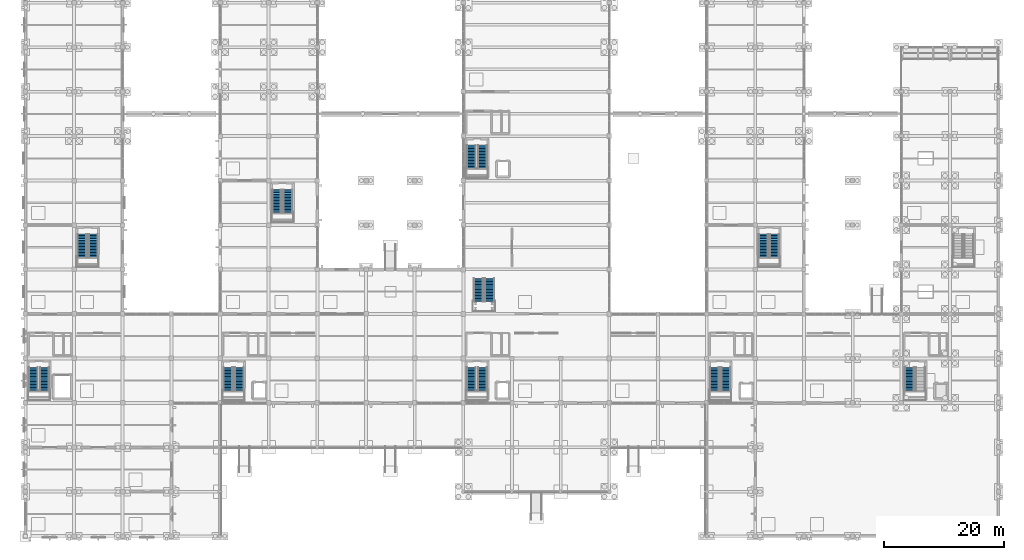
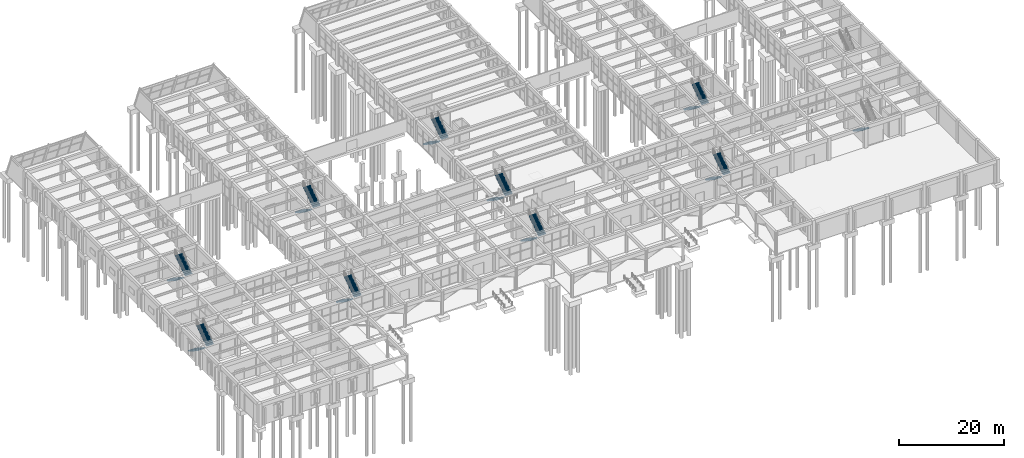
# One storey, part 131 of 140: 19 stair flights, 10 elements without a shape of their own.
"""IFC4 building model written with IfcOpenShell, lengths in metres."""

from ifc_helpers import new_model, si_unit, direction, frame, origin, place, context, subcontext, project, spatial, polyline, outline, extrude, material, type_object, element, aggregate, save


model = new_model("IFC4")

# Units and contexts
model_context = context("Model", 3, precision=1e-05, world=origin(), true_north=direction((0.0, 1.0)))
body_context = subcontext(model_context, "Body", "Model", "MODEL_VIEW")
ifc_project = project(units=[si_unit("LENGTHUNIT", "METRE"), si_unit("AREAUNIT", "SQUARE_METRE"), si_unit("VOLUMEUNIT", "CUBIC_METRE"), si_unit("PLANEANGLEUNIT", "RADIAN"), si_unit("MASSUNIT", "GRAM", prefix="KILO")], contexts=[model_context])

# Site, building, storey
site_placement = place(None, origin())
site = spatial("IfcSite", under=ifc_project, at=site_placement, CompositionType="ELEMENT")
building_placement = place(site_placement, origin())
building = spatial("IfcBuilding", under=site, at=building_placement, Name="Cimatlan Art Gallery", CompositionType="ELEMENT")
storey_placement = place(building_placement, origin())
storey = spatial("IfcBuildingStorey", under=building, at=storey_placement, Name="L00", CompositionType="ELEMENT", Elevation=0.0)

# Stair, stair flights
ifc_material = material(Name="Concrete C35/45", Category="concrete")
stair_type_1 = type_object("IfcStairType", Name="STR-HALF-155-540", PredefinedType="HALF_TURN_STAIR", material=ifc_material)
stair_1_placement = place(storey_placement, origin())
stair_1 = element("IfcStair", 1, at=stair_1_placement, inside=storey, type_object=stair_type_1, Name="STR-C1-L00", PredefinedType="HALF_TURN_STAIR")
stair_flight_type_1 = type_object("IfcStairFlightType", Name="STF-155-16R-255", PredefinedType="STRAIGHT", material=ifc_material)
stair_flight_1_placement = place(storey_placement, frame((3.3349609375, 29.780029296875, 0.0), z_axis=(0.0, 0.0, 1.0), x_axis=(0.0, -1.0, 0.0)))
stair_flight_1 = element("IfcStairFlight", 2, at=stair_flight_1_placement, type_object=stair_flight_type_1, Name="STR-C1-L00-F1", NumberOfRisers=16, NumberOfTreads=15, PredefinedType="STRAIGHT", RiserHeight=0.16875, TreadLength=0.255, context=body_context, shape_type="SweptSolid", body=[
    extrude(outline(polyline([(0.0, 0.0), (0.0, 0.168701171875), (0.2548828125, 0.168701171875), (0.2548828125, 0.33740234375), (0.510009765625, 0.33740234375), (0.510009765625, 0.50634765625), (0.764892578125, 0.50634765625), (0.764892578125, 0.675048828125), (1.02001953125, 0.675048828125), (1.02001953125, 0.84375), (1.27490234375, 0.84375), (1.27490234375, 1.012451171875), (1.530029296875, 1.012451171875), (1.530029296875, 1.18115234375), (1.784912109375, 1.18115234375), (1.784912109375, 1.35009765625), (2.0400390625, 1.35009765625), (2.0400390625, 1.518798828125), (2.294921875, 1.518798828125), (2.294921875, 1.6875), (2.550048828125, 1.6875), (2.550048828125, 1.856201171875), (2.804931640625, 1.856201171875), (2.804931640625, 2.02490234375), (3.06005859375, 2.02490234375), (3.06005859375, 2.19384765625), (3.31494140625, 2.19384765625), (3.31494140625, 2.362548828125), (3.570068359375, 2.362548828125), (3.570068359375, 2.53125), (3.824951171875, 2.53125), (3.824951171875, 2.699951171875), (3.824951171875, 2.3154296875), (0.325927734375, 0.0), (0.0, 0.0)])), frame((0.0, 0.77490234375, 0.0), z_axis=(0.0, -1.0, 0.0), x_axis=(1.0, 0.0, 0.0)), (0.0, 0.0, 1.0), 1.550048828125),
])
stair_flight_2_placement = place(storey_placement, frame((5.205078125, 25.955078125, 2.699951171875), z_axis=(0.0, 0.0, 1.0), x_axis=(0.0, 1.0, 0.0)))
stair_flight_2 = element("IfcStairFlight", 3, at=stair_flight_2_placement, type_object=stair_flight_type_1, Name="STR-C1-L00-F2", NumberOfRisers=16, NumberOfTreads=15, PredefinedType="STRAIGHT", RiserHeight=0.16875, TreadLength=0.255, context=body_context, shape_type="SweptSolid", body=[
    extrude(outline(polyline([(0.0, 0.0), (0.0, 0.168701171875), (0.2548828125, 0.168701171875), (0.2548828125, 0.33740234375), (0.510009765625, 0.33740234375), (0.510009765625, 0.50634765625), (0.764892578125, 0.50634765625), (0.764892578125, 0.675048828125), (1.02001953125, 0.675048828125), (1.02001953125, 0.84375), (1.27490234375, 0.84375), (1.27490234375, 1.012451171875), (1.530029296875, 1.012451171875), (1.530029296875, 1.18115234375), (1.784912109375, 1.18115234375), (1.784912109375, 1.35009765625), (2.0400390625, 1.35009765625), (2.0400390625, 1.518798828125), (2.294921875, 1.518798828125), (2.294921875, 1.6875), (2.550048828125, 1.6875), (2.550048828125, 1.856201171875), (2.804931640625, 1.856201171875), (2.804931640625, 2.02490234375), (3.06005859375, 2.02490234375), (3.06005859375, 2.19384765625), (3.31494140625, 2.19384765625), (3.31494140625, 2.362548828125), (3.570068359375, 2.362548828125), (3.570068359375, 2.53125), (3.824951171875, 2.53125), (3.824951171875, 2.699951171875), (3.824951171875, 2.3154296875), (0.325927734375, 0.0), (0.0, 0.0)])), frame((0.0, 0.77490234375, 0.0), z_axis=(0.0, -1.0, 0.0), x_axis=(1.0, 0.0, 0.0)), (0.0, 0.0, 1.0), 1.550048828125),
])
aggregate(stair_1, [stair_flight_1, stair_flight_2])

stair_2_placement = place(storey_placement, origin())
stair_2 = element("IfcStair", 4, at=stair_2_placement, inside=storey, type_object=stair_type_1, Name="STR-C2-L00", PredefinedType="HALF_TURN_STAIR")
stair_flight_3_placement = place(storey_placement, frame((35.735107421875, 29.780029296875, 0.0), z_axis=(0.0, 0.0, 1.0), x_axis=(0.0, -1.0, 0.0)))
stair_flight_3 = element("IfcStairFlight", 5, at=stair_flight_3_placement, type_object=stair_flight_type_1, Name="STR-C2-L00-F1", NumberOfRisers=16, NumberOfTreads=15, PredefinedType="STRAIGHT", RiserHeight=0.16875, TreadLength=0.255, context=body_context, shape_type="SweptSolid", body=[
    extrude(outline(polyline([(0.0, 0.0), (0.0, 0.168701171875), (0.2548828125, 0.168701171875), (0.2548828125, 0.33740234375), (0.510009765625, 0.33740234375), (0.510009765625, 0.50634765625), (0.764892578125, 0.50634765625), (0.764892578125, 0.675048828125), (1.02001953125, 0.675048828125), (1.02001953125, 0.84375), (1.27490234375, 0.84375), (1.27490234375, 1.012451171875), (1.530029296875, 1.012451171875), (1.530029296875, 1.18115234375), (1.784912109375, 1.18115234375), (1.784912109375, 1.35009765625), (2.0400390625, 1.35009765625), (2.0400390625, 1.518798828125), (2.294921875, 1.518798828125), (2.294921875, 1.6875), (2.550048828125, 1.6875), (2.550048828125, 1.856201171875), (2.804931640625, 1.856201171875), (2.804931640625, 2.02490234375), (3.06005859375, 2.02490234375), (3.06005859375, 2.19384765625), (3.31494140625, 2.19384765625), (3.31494140625, 2.362548828125), (3.570068359375, 2.362548828125), (3.570068359375, 2.53125), (3.824951171875, 2.53125), (3.824951171875, 2.699951171875), (3.824951171875, 2.3154296875), (0.325927734375, 0.0), (0.0, 0.0)])), frame((0.0, 0.77490234375, 0.0), z_axis=(0.0, -1.0, 0.0), x_axis=(1.0, 0.0, 0.0)), (0.0, 0.0, 1.0), 1.550048828125),
])
stair_flight_4_placement = place(storey_placement, frame((37.60498046875, 25.955078125, 2.699951171875), z_axis=(0.0, 0.0, 1.0), x_axis=(0.0, 1.0, 0.0)))
stair_flight_4 = element("IfcStairFlight", 6, at=stair_flight_4_placement, type_object=stair_flight_type_1, Name="STR-C2-L00-F2", NumberOfRisers=16, NumberOfTreads=15, PredefinedType="STRAIGHT", RiserHeight=0.16875, TreadLength=0.255, context=body_context, shape_type="SweptSolid", body=[
    extrude(outline(polyline([(0.0, 0.0), (0.0, 0.168701171875), (0.2548828125, 0.168701171875), (0.2548828125, 0.33740234375), (0.510009765625, 0.33740234375), (0.510009765625, 0.50634765625), (0.764892578125, 0.50634765625), (0.764892578125, 0.675048828125), (1.02001953125, 0.675048828125), (1.02001953125, 0.84375), (1.27490234375, 0.84375), (1.27490234375, 1.012451171875), (1.530029296875, 1.012451171875), (1.530029296875, 1.18115234375), (1.784912109375, 1.18115234375), (1.784912109375, 1.35009765625), (2.0400390625, 1.35009765625), (2.0400390625, 1.518798828125), (2.294921875, 1.518798828125), (2.294921875, 1.6875), (2.550048828125, 1.6875), (2.550048828125, 1.856201171875), (2.804931640625, 1.856201171875), (2.804931640625, 2.02490234375), (3.06005859375, 2.02490234375), (3.06005859375, 2.19384765625), (3.31494140625, 2.19384765625), (3.31494140625, 2.362548828125), (3.570068359375, 2.362548828125), (3.570068359375, 2.53125), (3.824951171875, 2.53125), (3.824951171875, 2.699951171875), (3.824951171875, 2.3154296875), (0.325927734375, 0.0), (0.0, 0.0)])), frame((0.0, 0.77490234375, 0.0), z_axis=(0.0, -1.0, 0.0), x_axis=(1.0, 0.0, 0.0)), (0.0, 0.0, 1.0), 1.550048828125),
])
aggregate(stair_2, [stair_flight_3, stair_flight_4])

stair_3_placement = place(storey_placement, origin())
stair_3 = element("IfcStair", 7, at=stair_3_placement, inside=storey, type_object=stair_type_1, Name="STR-C3-L00", PredefinedType="HALF_TURN_STAIR")
stair_flight_5_placement = place(storey_placement, frame((76.235107421875, 29.780029296875, 0.0), z_axis=(0.0, 0.0, 1.0), x_axis=(0.0, -1.0, 0.0)))
stair_flight_5 = element("IfcStairFlight", 8, at=stair_flight_5_placement, type_object=stair_flight_type_1, Name="STR-C3-L00-F1", NumberOfRisers=16, NumberOfTreads=15, PredefinedType="STRAIGHT", RiserHeight=0.16875, TreadLength=0.255, context=body_context, shape_type="SweptSolid", body=[
    extrude(outline(polyline([(0.0, 0.0), (0.0, 0.168701171875), (0.2548828125, 0.168701171875), (0.2548828125, 0.33740234375), (0.510009765625, 0.33740234375), (0.510009765625, 0.50634765625), (0.764892578125, 0.50634765625), (0.764892578125, 0.675048828125), (1.02001953125, 0.675048828125), (1.02001953125, 0.84375), (1.27490234375, 0.84375), (1.27490234375, 1.012451171875), (1.530029296875, 1.012451171875), (1.530029296875, 1.18115234375), (1.784912109375, 1.18115234375), (1.784912109375, 1.35009765625), (2.0400390625, 1.35009765625), (2.0400390625, 1.518798828125), (2.294921875, 1.518798828125), (2.294921875, 1.6875), (2.550048828125, 1.6875), (2.550048828125, 1.856201171875), (2.804931640625, 1.856201171875), (2.804931640625, 2.02490234375), (3.06005859375, 2.02490234375), (3.06005859375, 2.19384765625), (3.31494140625, 2.19384765625), (3.31494140625, 2.362548828125), (3.570068359375, 2.362548828125), (3.570068359375, 2.53125), (3.824951171875, 2.53125), (3.824951171875, 2.699951171875), (3.824951171875, 2.3154296875), (0.325927734375, 0.0), (0.0, 0.0)])), frame((0.0, 0.77490234375, 0.0), z_axis=(0.0, -1.0, 0.0), x_axis=(1.0, 0.0, 0.0)), (0.0, 0.0, 1.0), 1.550048828125),
])
stair_flight_6_placement = place(storey_placement, frame((78.10498046875, 25.955078125, 2.699951171875), z_axis=(0.0, 0.0, 1.0), x_axis=(0.0, 1.0, 0.0)))
stair_flight_6 = element("IfcStairFlight", 9, at=stair_flight_6_placement, type_object=stair_flight_type_1, Name="STR-C3-L00-F2", NumberOfRisers=16, NumberOfTreads=15, PredefinedType="STRAIGHT", RiserHeight=0.16875, TreadLength=0.255, context=body_context, shape_type="SweptSolid", body=[
    extrude(outline(polyline([(0.0, 0.0), (0.0, 0.168701171875), (0.2548828125, 0.168701171875), (0.2548828125, 0.33740234375), (0.510009765625, 0.33740234375), (0.510009765625, 0.50634765625), (0.764892578125, 0.50634765625), (0.764892578125, 0.675048828125), (1.02001953125, 0.675048828125), (1.02001953125, 0.84375), (1.27490234375, 0.84375), (1.27490234375, 1.012451171875), (1.530029296875, 1.012451171875), (1.530029296875, 1.18115234375), (1.784912109375, 1.18115234375), (1.784912109375, 1.35009765625), (2.0400390625, 1.35009765625), (2.0400390625, 1.518798828125), (2.294921875, 1.518798828125), (2.294921875, 1.6875), (2.550048828125, 1.6875), (2.550048828125, 1.856201171875), (2.804931640625, 1.856201171875), (2.804931640625, 2.02490234375), (3.06005859375, 2.02490234375), (3.06005859375, 2.19384765625), (3.31494140625, 2.19384765625), (3.31494140625, 2.362548828125), (3.570068359375, 2.362548828125), (3.570068359375, 2.53125), (3.824951171875, 2.53125), (3.824951171875, 2.699951171875), (3.824951171875, 2.3154296875), (0.325927734375, 0.0), (0.0, 0.0)])), frame((0.0, 0.77490234375, 0.0), z_axis=(0.0, -1.0, 0.0), x_axis=(1.0, 0.0, 0.0)), (0.0, 0.0, 1.0), 1.550048828125),
])
aggregate(stair_3, [stair_flight_5, stair_flight_6])

stair_4_placement = place(storey_placement, origin())
stair_4 = element("IfcStair", 10, at=stair_4_placement, inside=storey, type_object=stair_type_1, Name="STR-C4-L00", PredefinedType="HALF_TURN_STAIR")
stair_flight_7_placement = place(storey_placement, frame((116.735107421875, 29.780029296875, 0.0), z_axis=(0.0, 0.0, 1.0), x_axis=(0.0, -1.0, 0.0)))
stair_flight_7 = element("IfcStairFlight", 11, at=stair_flight_7_placement, type_object=stair_flight_type_1, Name="STR-C4-L00-F1", NumberOfRisers=16, NumberOfTreads=15, PredefinedType="STRAIGHT", RiserHeight=0.16875, TreadLength=0.255, context=body_context, shape_type="SweptSolid", body=[
    extrude(outline(polyline([(0.0, 0.0), (0.0, 0.168701171875), (0.2548828125, 0.168701171875), (0.2548828125, 0.33740234375), (0.510009765625, 0.33740234375), (0.510009765625, 0.50634765625), (0.764892578125, 0.50634765625), (0.764892578125, 0.675048828125), (1.02001953125, 0.675048828125), (1.02001953125, 0.84375), (1.27490234375, 0.84375), (1.27490234375, 1.012451171875), (1.530029296875, 1.012451171875), (1.530029296875, 1.18115234375), (1.784912109375, 1.18115234375), (1.784912109375, 1.35009765625), (2.0400390625, 1.35009765625), (2.0400390625, 1.518798828125), (2.294921875, 1.518798828125), (2.294921875, 1.6875), (2.550048828125, 1.6875), (2.550048828125, 1.856201171875), (2.804931640625, 1.856201171875), (2.804931640625, 2.02490234375), (3.06005859375, 2.02490234375), (3.06005859375, 2.19384765625), (3.31494140625, 2.19384765625), (3.31494140625, 2.362548828125), (3.570068359375, 2.362548828125), (3.570068359375, 2.53125), (3.824951171875, 2.53125), (3.824951171875, 2.699951171875), (3.824951171875, 2.3154296875), (0.325927734375, 0.0), (0.0, 0.0)])), frame((0.0, 0.77490234375, 0.0), z_axis=(0.0, -1.0, 0.0), x_axis=(1.0, 0.0, 0.0)), (0.0, 0.0, 1.0), 1.550048828125),
])
stair_flight_8_placement = place(storey_placement, frame((118.60498046875, 25.955078125, 2.699951171875), z_axis=(0.0, 0.0, 1.0), x_axis=(0.0, 1.0, 0.0)))
stair_flight_8 = element("IfcStairFlight", 12, at=stair_flight_8_placement, type_object=stair_flight_type_1, Name="STR-C4-L00-F2", NumberOfRisers=16, NumberOfTreads=15, PredefinedType="STRAIGHT", RiserHeight=0.16875, TreadLength=0.255, context=body_context, shape_type="SweptSolid", body=[
    extrude(outline(polyline([(0.0, 0.0), (0.0, 0.168701171875), (0.2548828125, 0.168701171875), (0.2548828125, 0.33740234375), (0.510009765625, 0.33740234375), (0.510009765625, 0.50634765625), (0.764892578125, 0.50634765625), (0.764892578125, 0.675048828125), (1.02001953125, 0.675048828125), (1.02001953125, 0.84375), (1.27490234375, 0.84375), (1.27490234375, 1.012451171875), (1.530029296875, 1.012451171875), (1.530029296875, 1.18115234375), (1.784912109375, 1.18115234375), (1.784912109375, 1.35009765625), (2.0400390625, 1.35009765625), (2.0400390625, 1.518798828125), (2.294921875, 1.518798828125), (2.294921875, 1.6875), (2.550048828125, 1.6875), (2.550048828125, 1.856201171875), (2.804931640625, 1.856201171875), (2.804931640625, 2.02490234375), (3.06005859375, 2.02490234375), (3.06005859375, 2.19384765625), (3.31494140625, 2.19384765625), (3.31494140625, 2.362548828125), (3.570068359375, 2.362548828125), (3.570068359375, 2.53125), (3.824951171875, 2.53125), (3.824951171875, 2.699951171875), (3.824951171875, 2.3154296875), (0.325927734375, 0.0), (0.0, 0.0)])), frame((0.0, 0.77490234375, 0.0), z_axis=(0.0, -1.0, 0.0), x_axis=(1.0, 0.0, 0.0)), (0.0, 0.0, 1.0), 1.550048828125),
])
aggregate(stair_4, [stair_flight_7, stair_flight_8])

# Stair, stair flight
stair_5_placement = place(storey_placement, origin())
stair_5 = element("IfcStair", 13, at=stair_5_placement, inside=storey, type_object=stair_type_1, Name="STR-C5-L00", PredefinedType="HALF_TURN_STAIR")
stair_flight_9_placement = place(storey_placement, frame((149.135009765625, 29.780029296875, 0.0), z_axis=(0.0, 0.0, 1.0), x_axis=(0.0, -1.0, 0.0)))
stair_flight_9 = element("IfcStairFlight", 14, at=stair_flight_9_placement, type_object=stair_flight_type_1, Name="STR-C5-L00-F1", NumberOfRisers=16, NumberOfTreads=15, PredefinedType="STRAIGHT", RiserHeight=0.16875, TreadLength=0.255, context=body_context, shape_type="SweptSolid", body=[
    extrude(outline(polyline([(0.0, 0.0), (0.0, 0.168701171875), (0.2548828125, 0.168701171875), (0.2548828125, 0.33740234375), (0.510009765625, 0.33740234375), (0.510009765625, 0.50634765625), (0.764892578125, 0.50634765625), (0.764892578125, 0.675048828125), (1.02001953125, 0.675048828125), (1.02001953125, 0.84375), (1.27490234375, 0.84375), (1.27490234375, 1.012451171875), (1.530029296875, 1.012451171875), (1.530029296875, 1.18115234375), (1.784912109375, 1.18115234375), (1.784912109375, 1.35009765625), (2.0400390625, 1.35009765625), (2.0400390625, 1.518798828125), (2.294921875, 1.518798828125), (2.294921875, 1.6875), (2.550048828125, 1.6875), (2.550048828125, 1.856201171875), (2.804931640625, 1.856201171875), (2.804931640625, 2.02490234375), (3.06005859375, 2.02490234375), (3.06005859375, 2.19384765625), (3.31494140625, 2.19384765625), (3.31494140625, 2.362548828125), (3.570068359375, 2.362548828125), (3.570068359375, 2.53125), (3.824951171875, 2.53125), (3.824951171875, 2.699951171875), (3.824951171875, 2.3154296875), (0.325927734375, 0.0), (0.0, 0.0)])), frame((0.0, 0.77490234375, 0.0), z_axis=(0.0, -1.0, 0.0), x_axis=(1.0, 0.0, 0.0)), (0.0, 0.0, 1.0), 1.550048828125),
])
aggregate(stair_5, [stair_flight_9])

# Stair, stair flights
stair_6_placement = place(storey_placement, origin())
stair_6 = element("IfcStair", 15, at=stair_6_placement, inside=storey, type_object=stair_type_1, Name="STR-C6-L00", PredefinedType="HALF_TURN_STAIR")
stair_flight_10_placement = place(storey_placement, frame((76.235107421875, 66.780029296875, 0.0), z_axis=(0.0, 0.0, 1.0), x_axis=(0.0, -1.0, 0.0)))
stair_flight_10 = element("IfcStairFlight", 16, at=stair_flight_10_placement, type_object=stair_flight_type_1, Name="STR-C6-L00-F1", NumberOfRisers=16, NumberOfTreads=15, PredefinedType="STRAIGHT", RiserHeight=0.16875, TreadLength=0.255, context=body_context, shape_type="SweptSolid", body=[
    extrude(outline(polyline([(0.0, 0.0), (0.0, 0.168701171875), (0.2548828125, 0.168701171875), (0.2548828125, 0.33740234375), (0.510009765625, 0.33740234375), (0.510009765625, 0.50634765625), (0.764892578125, 0.50634765625), (0.764892578125, 0.675048828125), (1.02001953125, 0.675048828125), (1.02001953125, 0.84375), (1.27490234375, 0.84375), (1.27490234375, 1.012451171875), (1.530029296875, 1.012451171875), (1.530029296875, 1.18115234375), (1.784912109375, 1.18115234375), (1.784912109375, 1.35009765625), (2.0400390625, 1.35009765625), (2.0400390625, 1.518798828125), (2.294921875, 1.518798828125), (2.294921875, 1.6875), (2.550048828125, 1.6875), (2.550048828125, 1.856201171875), (2.804931640625, 1.856201171875), (2.804931640625, 2.02490234375), (3.06005859375, 2.02490234375), (3.06005859375, 2.19384765625), (3.31494140625, 2.19384765625), (3.31494140625, 2.362548828125), (3.570068359375, 2.362548828125), (3.570068359375, 2.53125), (3.824951171875, 2.53125), (3.824951171875, 2.699951171875), (3.824951171875, 2.3154296875), (0.325927734375, 0.0), (0.0, 0.0)])), frame((0.0, 0.77490234375, 0.0), z_axis=(0.0, -1.0, 0.0), x_axis=(1.0, 0.0, 0.0)), (0.0, 0.0, 1.0), 1.550048828125),
])
stair_flight_11_placement = place(storey_placement, frame((78.10498046875, 62.955078125, 2.699951171875), z_axis=(0.0, 0.0, 1.0), x_axis=(0.0, 1.0, 0.0)))
stair_flight_11 = element("IfcStairFlight", 17, at=stair_flight_11_placement, type_object=stair_flight_type_1, Name="STR-C6-L00-F2", NumberOfRisers=16, NumberOfTreads=15, PredefinedType="STRAIGHT", RiserHeight=0.16875, TreadLength=0.255, context=body_context, shape_type="SweptSolid", body=[
    extrude(outline(polyline([(0.0, 0.0), (0.0, 0.168701171875), (0.2548828125, 0.168701171875), (0.2548828125, 0.33740234375), (0.510009765625, 0.33740234375), (0.510009765625, 0.50634765625), (0.764892578125, 0.50634765625), (0.764892578125, 0.675048828125), (1.02001953125, 0.675048828125), (1.02001953125, 0.84375), (1.27490234375, 0.84375), (1.27490234375, 1.012451171875), (1.530029296875, 1.012451171875), (1.530029296875, 1.18115234375), (1.784912109375, 1.18115234375), (1.784912109375, 1.35009765625), (2.0400390625, 1.35009765625), (2.0400390625, 1.518798828125), (2.294921875, 1.518798828125), (2.294921875, 1.6875), (2.550048828125, 1.6875), (2.550048828125, 1.856201171875), (2.804931640625, 1.856201171875), (2.804931640625, 2.02490234375), (3.06005859375, 2.02490234375), (3.06005859375, 2.19384765625), (3.31494140625, 2.19384765625), (3.31494140625, 2.362548828125), (3.570068359375, 2.362548828125), (3.570068359375, 2.53125), (3.824951171875, 2.53125), (3.824951171875, 2.699951171875), (3.824951171875, 2.3154296875), (0.325927734375, 0.0), (0.0, 0.0)])), frame((0.0, 0.77490234375, 0.0), z_axis=(0.0, -1.0, 0.0), x_axis=(1.0, 0.0, 0.0)), (0.0, 0.0, 1.0), 1.550048828125),
])
aggregate(stair_6, [stair_flight_10, stair_flight_11])

stair_7_placement = place(storey_placement, origin())
stair_7 = element("IfcStair", 18, at=stair_7_placement, inside=storey, type_object=stair_type_1, Name="STR-C7-L00", PredefinedType="HALF_TURN_STAIR")
stair_flight_12_placement = place(storey_placement, frame((11.43505859375, 51.97998046875, 0.0), z_axis=(0.0, 0.0, 1.0), x_axis=(0.0, -1.0, 0.0)))
stair_flight_12 = element("IfcStairFlight", 19, at=stair_flight_12_placement, type_object=stair_flight_type_1, Name="STR-C7-L00-F1", NumberOfRisers=16, NumberOfTreads=15, PredefinedType="STRAIGHT", RiserHeight=0.16875, TreadLength=0.255, context=body_context, shape_type="SweptSolid", body=[
    extrude(outline(polyline([(0.0, 0.0), (0.0, 0.168701171875), (0.2548828125, 0.168701171875), (0.2548828125, 0.33740234375), (0.510009765625, 0.33740234375), (0.510009765625, 0.50634765625), (0.764892578125, 0.50634765625), (0.764892578125, 0.675048828125), (1.02001953125, 0.675048828125), (1.02001953125, 0.84375), (1.27490234375, 0.84375), (1.27490234375, 1.012451171875), (1.530029296875, 1.012451171875), (1.530029296875, 1.18115234375), (1.784912109375, 1.18115234375), (1.784912109375, 1.35009765625), (2.0400390625, 1.35009765625), (2.0400390625, 1.518798828125), (2.294921875, 1.518798828125), (2.294921875, 1.6875), (2.550048828125, 1.6875), (2.550048828125, 1.856201171875), (2.804931640625, 1.856201171875), (2.804931640625, 2.02490234375), (3.06005859375, 2.02490234375), (3.06005859375, 2.19384765625), (3.31494140625, 2.19384765625), (3.31494140625, 2.362548828125), (3.570068359375, 2.362548828125), (3.570068359375, 2.53125), (3.824951171875, 2.53125), (3.824951171875, 2.699951171875), (3.824951171875, 2.3154296875), (0.325927734375, 0.0), (0.0, 0.0)])), frame((0.0, 0.77490234375, 0.0), z_axis=(0.0, -1.0, 0.0), x_axis=(1.0, 0.0, 0.0)), (0.0, 0.0, 1.0), 1.550048828125),
])
stair_flight_13_placement = place(storey_placement, frame((13.304931640625, 48.155029296875, 2.699951171875), z_axis=(0.0, 0.0, 1.0), x_axis=(0.0, 1.0, 0.0)))
stair_flight_13 = element("IfcStairFlight", 20, at=stair_flight_13_placement, type_object=stair_flight_type_1, Name="STR-C7-L00-F2", NumberOfRisers=16, NumberOfTreads=15, PredefinedType="STRAIGHT", RiserHeight=0.16875, TreadLength=0.255, context=body_context, shape_type="SweptSolid", body=[
    extrude(outline(polyline([(0.0, 0.0), (0.0, 0.168701171875), (0.2548828125, 0.168701171875), (0.2548828125, 0.33740234375), (0.510009765625, 0.33740234375), (0.510009765625, 0.50634765625), (0.764892578125, 0.50634765625), (0.764892578125, 0.675048828125), (1.02001953125, 0.675048828125), (1.02001953125, 0.84375), (1.27490234375, 0.84375), (1.27490234375, 1.012451171875), (1.530029296875, 1.012451171875), (1.530029296875, 1.18115234375), (1.784912109375, 1.18115234375), (1.784912109375, 1.35009765625), (2.0400390625, 1.35009765625), (2.0400390625, 1.518798828125), (2.294921875, 1.518798828125), (2.294921875, 1.6875), (2.550048828125, 1.6875), (2.550048828125, 1.856201171875), (2.804931640625, 1.856201171875), (2.804931640625, 2.02490234375), (3.06005859375, 2.02490234375), (3.06005859375, 2.19384765625), (3.31494140625, 2.19384765625), (3.31494140625, 2.362548828125), (3.570068359375, 2.362548828125), (3.570068359375, 2.53125), (3.824951171875, 2.53125), (3.824951171875, 2.699951171875), (3.824951171875, 2.3154296875), (0.325927734375, 0.0), (0.0, 0.0)])), frame((0.0, 0.77490234375, 0.0), z_axis=(0.0, -1.0, 0.0), x_axis=(1.0, 0.0, 0.0)), (0.0, 0.0, 1.0), 1.550048828125),
])
aggregate(stair_7, [stair_flight_12, stair_flight_13])

stair_8_placement = place(storey_placement, origin())
stair_8 = element("IfcStair", 21, at=stair_8_placement, inside=storey, type_object=stair_type_1, Name="STR-C8-L00", PredefinedType="HALF_TURN_STAIR")
stair_flight_14_placement = place(storey_placement, frame((43.8349609375, 59.3798828125, 0.0), z_axis=(0.0, 0.0, 1.0), x_axis=(0.0, -1.0, 0.0)))
stair_flight_14 = element("IfcStairFlight", 22, at=stair_flight_14_placement, type_object=stair_flight_type_1, Name="STR-C8-L00-F1", NumberOfRisers=16, NumberOfTreads=15, PredefinedType="STRAIGHT", RiserHeight=0.16875, TreadLength=0.255, context=body_context, shape_type="SweptSolid", body=[
    extrude(outline(polyline([(0.0, 0.0), (0.0, 0.168701171875), (0.2548828125, 0.168701171875), (0.2548828125, 0.33740234375), (0.510009765625, 0.33740234375), (0.510009765625, 0.50634765625), (0.764892578125, 0.50634765625), (0.764892578125, 0.675048828125), (1.02001953125, 0.675048828125), (1.02001953125, 0.84375), (1.27490234375, 0.84375), (1.27490234375, 1.012451171875), (1.530029296875, 1.012451171875), (1.530029296875, 1.18115234375), (1.784912109375, 1.18115234375), (1.784912109375, 1.35009765625), (2.0400390625, 1.35009765625), (2.0400390625, 1.518798828125), (2.294921875, 1.518798828125), (2.294921875, 1.6875), (2.550048828125, 1.6875), (2.550048828125, 1.856201171875), (2.804931640625, 1.856201171875), (2.804931640625, 2.02490234375), (3.06005859375, 2.02490234375), (3.06005859375, 2.19384765625), (3.31494140625, 2.19384765625), (3.31494140625, 2.362548828125), (3.570068359375, 2.362548828125), (3.570068359375, 2.53125), (3.824951171875, 2.53125), (3.824951171875, 2.699951171875), (3.824951171875, 2.3154296875), (0.325927734375, 0.0), (0.0, 0.0)])), frame((0.0, 0.77490234375, 0.0), z_axis=(0.0, -1.0, 0.0), x_axis=(1.0, 0.0, 0.0)), (0.0, 0.0, 1.0), 1.550048828125),
])
stair_flight_15_placement = place(storey_placement, frame((45.705078125, 55.554931640625, 2.699951171875), z_axis=(0.0, 0.0, 1.0), x_axis=(0.0, 1.0, 0.0)))
stair_flight_15 = element("IfcStairFlight", 23, at=stair_flight_15_placement, type_object=stair_flight_type_1, Name="STR-C8-L00-F2", NumberOfRisers=16, NumberOfTreads=15, PredefinedType="STRAIGHT", RiserHeight=0.16875, TreadLength=0.255, context=body_context, shape_type="SweptSolid", body=[
    extrude(outline(polyline([(0.0, 0.0), (0.0, 0.168701171875), (0.2548828125, 0.168701171875), (0.2548828125, 0.33740234375), (0.510009765625, 0.33740234375), (0.510009765625, 0.50634765625), (0.764892578125, 0.50634765625), (0.764892578125, 0.675048828125), (1.02001953125, 0.675048828125), (1.02001953125, 0.84375), (1.27490234375, 0.84375), (1.27490234375, 1.012451171875), (1.530029296875, 1.012451171875), (1.530029296875, 1.18115234375), (1.784912109375, 1.18115234375), (1.784912109375, 1.35009765625), (2.0400390625, 1.35009765625), (2.0400390625, 1.518798828125), (2.294921875, 1.518798828125), (2.294921875, 1.6875), (2.550048828125, 1.6875), (2.550048828125, 1.856201171875), (2.804931640625, 1.856201171875), (2.804931640625, 2.02490234375), (3.06005859375, 2.02490234375), (3.06005859375, 2.19384765625), (3.31494140625, 2.19384765625), (3.31494140625, 2.362548828125), (3.570068359375, 2.362548828125), (3.570068359375, 2.53125), (3.824951171875, 2.53125), (3.824951171875, 2.699951171875), (3.824951171875, 2.3154296875), (0.325927734375, 0.0), (0.0, 0.0)])), frame((0.0, 0.77490234375, 0.0), z_axis=(0.0, -1.0, 0.0), x_axis=(1.0, 0.0, 0.0)), (0.0, 0.0, 1.0), 1.550048828125),
])
aggregate(stair_8, [stair_flight_14, stair_flight_15])

stair_9_placement = place(storey_placement, origin())
stair_9 = element("IfcStair", 24, at=stair_9_placement, inside=storey, type_object=stair_type_1, Name="STR-C9-L00", PredefinedType="HALF_TURN_STAIR")
stair_flight_16_placement = place(storey_placement, frame((124.8349609375, 51.97998046875, 0.0), z_axis=(0.0, 0.0, 1.0), x_axis=(0.0, -1.0, 0.0)))
stair_flight_16 = element("IfcStairFlight", 25, at=stair_flight_16_placement, type_object=stair_flight_type_1, Name="STR-C9-L00-F1", NumberOfRisers=16, NumberOfTreads=15, PredefinedType="STRAIGHT", RiserHeight=0.16875, TreadLength=0.255, context=body_context, shape_type="SweptSolid", body=[
    extrude(outline(polyline([(0.0, 0.0), (0.0, 0.168701171875), (0.2548828125, 0.168701171875), (0.2548828125, 0.33740234375), (0.510009765625, 0.33740234375), (0.510009765625, 0.50634765625), (0.764892578125, 0.50634765625), (0.764892578125, 0.675048828125), (1.02001953125, 0.675048828125), (1.02001953125, 0.84375), (1.27490234375, 0.84375), (1.27490234375, 1.012451171875), (1.530029296875, 1.012451171875), (1.530029296875, 1.18115234375), (1.784912109375, 1.18115234375), (1.784912109375, 1.35009765625), (2.0400390625, 1.35009765625), (2.0400390625, 1.518798828125), (2.294921875, 1.518798828125), (2.294921875, 1.6875), (2.550048828125, 1.6875), (2.550048828125, 1.856201171875), (2.804931640625, 1.856201171875), (2.804931640625, 2.02490234375), (3.06005859375, 2.02490234375), (3.06005859375, 2.19384765625), (3.31494140625, 2.19384765625), (3.31494140625, 2.362548828125), (3.570068359375, 2.362548828125), (3.570068359375, 2.53125), (3.824951171875, 2.53125), (3.824951171875, 2.699951171875), (3.824951171875, 2.3154296875), (0.325927734375, 0.0), (0.0, 0.0)])), frame((0.0, 0.77490234375, 0.0), z_axis=(0.0, -1.0, 0.0), x_axis=(1.0, 0.0, 0.0)), (0.0, 0.0, 1.0), 1.550048828125),
])
stair_flight_17_placement = place(storey_placement, frame((126.705078125, 48.155029296875, 2.699951171875), z_axis=(0.0, 0.0, 1.0), x_axis=(0.0, 1.0, 0.0)))
stair_flight_17 = element("IfcStairFlight", 26, at=stair_flight_17_placement, type_object=stair_flight_type_1, Name="STR-C9-L00-F2", NumberOfRisers=16, NumberOfTreads=15, PredefinedType="STRAIGHT", RiserHeight=0.16875, TreadLength=0.255, context=body_context, shape_type="SweptSolid", body=[
    extrude(outline(polyline([(0.0, 0.0), (0.0, 0.168701171875), (0.2548828125, 0.168701171875), (0.2548828125, 0.33740234375), (0.510009765625, 0.33740234375), (0.510009765625, 0.50634765625), (0.764892578125, 0.50634765625), (0.764892578125, 0.675048828125), (1.02001953125, 0.675048828125), (1.02001953125, 0.84375), (1.27490234375, 0.84375), (1.27490234375, 1.012451171875), (1.530029296875, 1.012451171875), (1.530029296875, 1.18115234375), (1.784912109375, 1.18115234375), (1.784912109375, 1.35009765625), (2.0400390625, 1.35009765625), (2.0400390625, 1.518798828125), (2.294921875, 1.518798828125), (2.294921875, 1.6875), (2.550048828125, 1.6875), (2.550048828125, 1.856201171875), (2.804931640625, 1.856201171875), (2.804931640625, 2.02490234375), (3.06005859375, 2.02490234375), (3.06005859375, 2.19384765625), (3.31494140625, 2.19384765625), (3.31494140625, 2.362548828125), (3.570068359375, 2.362548828125), (3.570068359375, 2.53125), (3.824951171875, 2.53125), (3.824951171875, 2.699951171875), (3.824951171875, 2.3154296875), (0.325927734375, 0.0), (0.0, 0.0)])), frame((0.0, 0.77490234375, 0.0), z_axis=(0.0, -1.0, 0.0), x_axis=(1.0, 0.0, 0.0)), (0.0, 0.0, 1.0), 1.550048828125),
])
aggregate(stair_9, [stair_flight_16, stair_flight_17])

stair_type_2 = type_object("IfcStairType", Name="STR-STRA-160-540", PredefinedType="STRAIGHT_RUN_STAIR", material=ifc_material)
stair_10_placement = place(storey_placement, origin())
stair_10 = element("IfcStair", 27, at=stair_10_placement, inside=storey, type_object=stair_type_2, Name="STR-FEAT-01", PredefinedType="STRAIGHT_RUN_STAIR")
stair_flight_type_2 = type_object("IfcStairFlightType", Name="STF-160-16R-255", PredefinedType="STRAIGHT", material=ifc_material)
stair_flight_18_placement = place(storey_placement, frame((77.409912109375, 44.580078125, 0.0), z_axis=(0.0, 0.0, 1.0), x_axis=(0.0, -1.0, 0.0)))
stair_flight_18 = element("IfcStairFlight", 28, at=stair_flight_18_placement, type_object=stair_flight_type_2, Name="STR-FEAT-01-F1", NumberOfRisers=16, NumberOfTreads=15, PredefinedType="STRAIGHT", RiserHeight=0.16875, TreadLength=0.255, context=body_context, shape_type="SweptSolid", body=[
    extrude(outline(polyline([(0.0, 0.0), (0.0, 0.168701171875), (0.2548828125, 0.168701171875), (0.2548828125, 0.33740234375), (0.510009765625, 0.33740234375), (0.510009765625, 0.50634765625), (0.764892578125, 0.50634765625), (0.764892578125, 0.675048828125), (1.02001953125, 0.675048828125), (1.02001953125, 0.84375), (1.27490234375, 0.84375), (1.27490234375, 1.012451171875), (1.530029296875, 1.012451171875), (1.530029296875, 1.18115234375), (1.784912109375, 1.18115234375), (1.784912109375, 1.35009765625), (2.0400390625, 1.35009765625), (2.0400390625, 1.518798828125), (2.294921875, 1.518798828125), (2.294921875, 1.6875), (2.550048828125, 1.6875), (2.550048828125, 1.856201171875), (2.804931640625, 1.856201171875), (2.804931640625, 2.02490234375), (3.06005859375, 2.02490234375), (3.06005859375, 2.19384765625), (3.31494140625, 2.19384765625), (3.31494140625, 2.362548828125), (3.570068359375, 2.362548828125), (3.570068359375, 2.53125), (3.824951171875, 2.53125), (3.824951171875, 2.699951171875), (3.824951171875, 2.3154296875), (0.325927734375, 0.0), (0.0, 0.0)])), frame((0.0, 0.800048828125, 0.0), z_axis=(0.0, -1.0, 0.0), x_axis=(1.0, 0.0, 0.0)), (0.0, 0.0, 1.0), 1.60009765625),
])
stair_flight_19_placement = place(storey_placement, frame((79.2900390625, 40.7548828125, 2.699951171875), z_axis=(0.0, 0.0, 1.0), x_axis=(0.0, 1.0, 0.0)))
stair_flight_19 = element("IfcStairFlight", 29, at=stair_flight_19_placement, type_object=stair_flight_type_2, Name="STR-FEAT-01-F2", NumberOfRisers=16, NumberOfTreads=15, PredefinedType="STRAIGHT", RiserHeight=0.16875, TreadLength=0.255, context=body_context, shape_type="SweptSolid", body=[
    extrude(outline(polyline([(0.0, 0.0), (0.0, 0.168701171875), (0.2548828125, 0.168701171875), (0.2548828125, 0.33740234375), (0.510009765625, 0.33740234375), (0.510009765625, 0.50634765625), (0.764892578125, 0.50634765625), (0.764892578125, 0.675048828125), (1.02001953125, 0.675048828125), (1.02001953125, 0.84375), (1.27490234375, 0.84375), (1.27490234375, 1.012451171875), (1.530029296875, 1.012451171875), (1.530029296875, 1.18115234375), (1.784912109375, 1.18115234375), (1.784912109375, 1.35009765625), (2.0400390625, 1.35009765625), (2.0400390625, 1.518798828125), (2.294921875, 1.518798828125), (2.294921875, 1.6875), (2.550048828125, 1.6875), (2.550048828125, 1.856201171875), (2.804931640625, 1.856201171875), (2.804931640625, 2.02490234375), (3.06005859375, 2.02490234375), (3.06005859375, 2.19384765625), (3.31494140625, 2.19384765625), (3.31494140625, 2.362548828125), (3.570068359375, 2.362548828125), (3.570068359375, 2.53125), (3.824951171875, 2.53125), (3.824951171875, 2.699951171875), (3.824951171875, 2.3154296875), (0.325927734375, 0.0), (0.0, 0.0)])), frame((0.0, 0.800048828125, 0.0), z_axis=(0.0, -1.0, 0.0), x_axis=(1.0, 0.0, 0.0)), (0.0, 0.0, 1.0), 1.60009765625),
])
aggregate(stair_10, [stair_flight_18, stair_flight_19])

save(model, "model.ifc")
